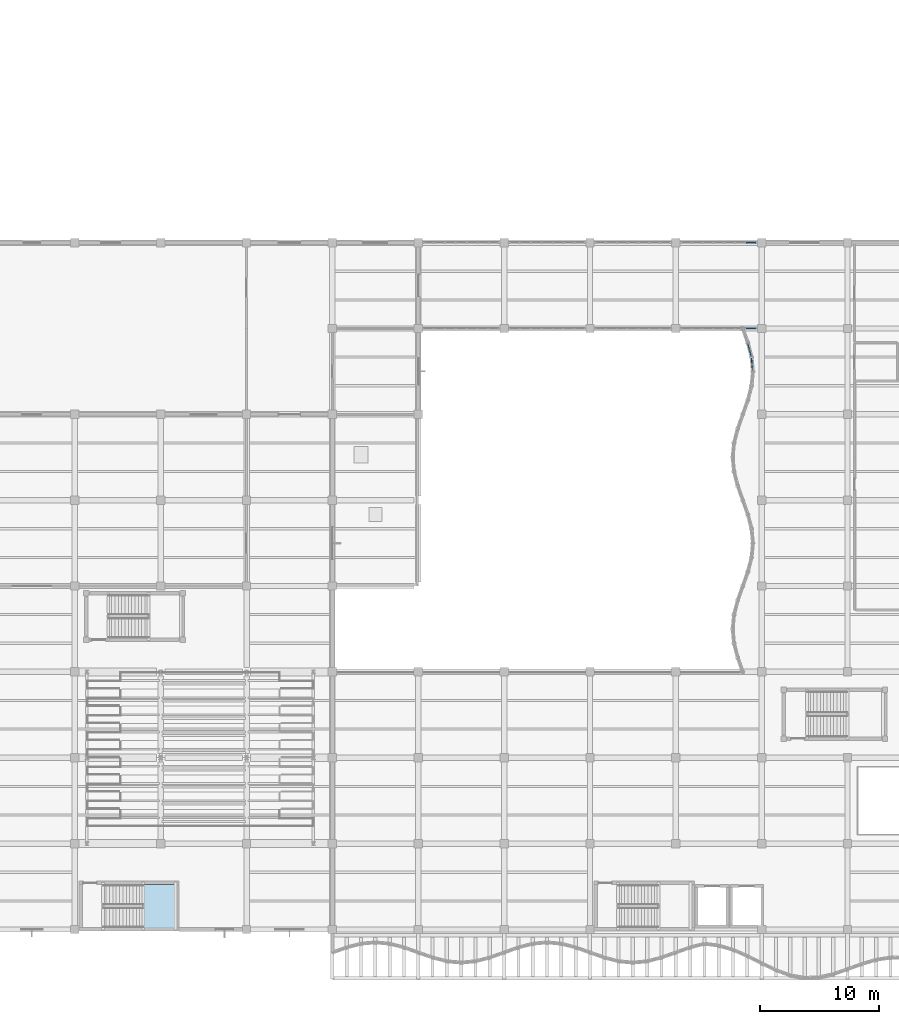
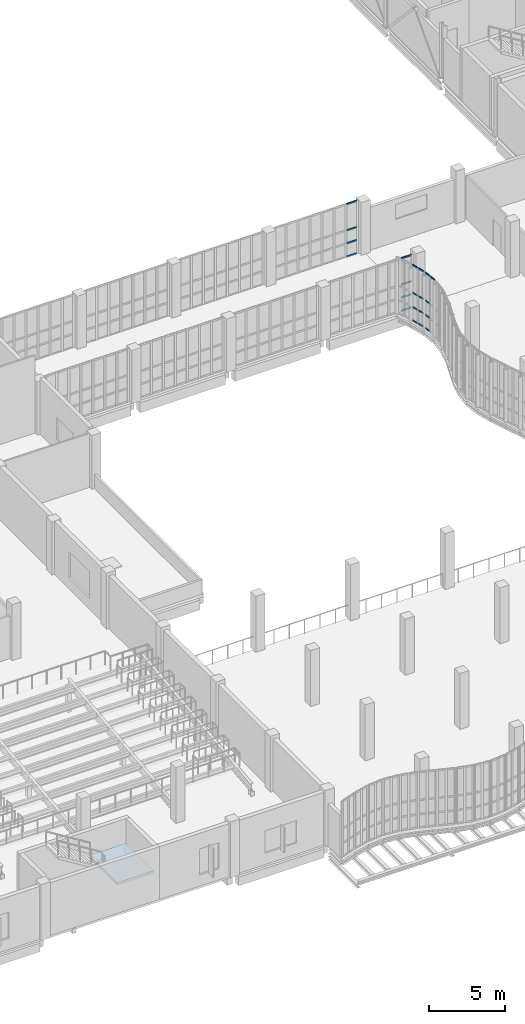
# One storey, part 65 of 108: 21 members, 1 slab, 5 elements without a shape of their own.
"""IFC4 building model written with IfcOpenShell, lengths in metres."""

from ifc_helpers import new_model, si_unit, direction, frame, origin, origin_2d, place, context, subcontext, project, spatial, polyline, hollow_rectangle, outline, extrude, material, layer, layer_set, material_profile, profile_set, type_object, element, aggregate, save


model = new_model("IFC4")

# Units and contexts
model_context = context("Model", 3, precision=1e-05, world=origin(), true_north=direction((0.0, 1.0)))
body_context = subcontext(model_context, "Body", "Model", "MODEL_VIEW")
ifc_project = project(units=[si_unit("LENGTHUNIT", "METRE"), si_unit("AREAUNIT", "SQUARE_METRE"), si_unit("VOLUMEUNIT", "CUBIC_METRE"), si_unit("PLANEANGLEUNIT", "RADIAN"), si_unit("MASSUNIT", "GRAM", prefix="KILO"), si_unit("THERMODYNAMICTEMPERATUREUNIT", "KELVIN"), si_unit("POWERUNIT", "WATT")], contexts=[model_context])

# Site, building, storey
site_placement = place(None, origin())
site = spatial("IfcSite", under=ifc_project, at=site_placement, CompositionType="ELEMENT")
building_placement = place(site_placement, origin())
building = spatial("IfcBuilding", under=site, at=building_placement, Name="Kaldorven Railside Theatre", CompositionType="ELEMENT")
storey_placement = place(building_placement, frame((0.0, 0.0, 5.39990234375)))
storey = spatial("IfcBuildingStorey", under=building, at=storey_placement, Name="L01", CompositionType="ELEMENT", Elevation=5.39990234375)

# Curtain wall, members
ifc_material_1 = material(Name="Low-E laminated solar-control glass", Category="glass")
ifc_layer_1 = layer(ifc_material_1, 0.159912109375, Name="Low-E laminated solar-control glass")
ifc_layer_set_1 = layer_set([ifc_layer_1], Name="Low-E laminated solar-control glass")
curtain_wall_type_1 = type_object("IfcCurtainWallType", Name="CWT-03", PredefinedType="USERDEFINED", material=ifc_layer_set_1)
curtain_wall_1_placement = place(storey_placement, origin())
curtain_wall_1 = element("IfcCurtainWall", 1, at=curtain_wall_1_placement, inside=storey, type_object=curtain_wall_type_1, Name="Sinusoidal Fluted Curtain Wall CW-L01-W22", ObjectType="FLUTED GLAZING", PredefinedType="USERDEFINED")
ifc_material_2 = material(Name="Anodised bronze aluminium", Category="aluminium")
ifc_material_profile = material_profile(ifc_material_2, hollow_rectangle(XDim=0.06005859375, YDim=0.1201171875, WallThickness=0.0048828125, at=origin_2d()), Name="RHS 120x60x5")
ifc_profile_set = profile_set([ifc_material_profile], Name="Anodised bronze aluminium")
member_type = type_object("IfcMemberType", Name="CWT-120", PredefinedType="USERDEFINED", material=ifc_profile_set)
member_1_placement = place(storey_placement, frame((72.04248046875, 66.07958984375, 4.47021484375), z_axis=(-0.094594245591, 0.995515910823, 0.0), x_axis=(-0.995515910823, -0.094594245591, 0.0)))
member_1 = element("IfcMember", 2, at=member_1_placement, type_object=member_type, Name="CW-L01-W22 transom 1.4", ObjectType="TRANSOM", PredefinedType="USERDEFINED", context=body_context, shape_type="SweptSolid", body=[
    extrude(hollow_rectangle(XDim=0.06005859375, YDim=0.1201171875, WallThickness=0.0048828125, at=origin_2d()), origin(), (0.0, 0.0, 1.0), 0.482666015625),
])
member_2_placement = place(storey_placement, frame((71.9892578125, 66.639892578125, 0.030029296875), z_axis=(-0.094594245591, 0.995515910823, 0.0), x_axis=(-0.995515910823, -0.094594245591, 0.0)))
member_2 = element("IfcMember", 3, at=member_2_placement, type_object=member_type, Name="CW-L01-W22 transom 2.1", ObjectType="TRANSOM", PredefinedType="USERDEFINED", context=body_context, shape_type="SweptSolid", body=[
    extrude(hollow_rectangle(XDim=0.06005859375, YDim=0.1201171875, WallThickness=0.0048828125, at=origin_2d()), origin(), (0.0, 0.0, 1.0), 0.482666015625),
])
member_3_placement = place(storey_placement, frame((71.9892578125, 66.639892578125, 1.10009765625), z_axis=(-0.094594245591, 0.995515910823, 0.0), x_axis=(-0.995515910823, -0.094594245591, 0.0)))
member_3 = element("IfcMember", 4, at=member_3_placement, type_object=member_type, Name="CW-L01-W22 transom 2.2", ObjectType="TRANSOM", PredefinedType="USERDEFINED", context=body_context, shape_type="SweptSolid", body=[
    extrude(hollow_rectangle(XDim=0.06005859375, YDim=0.1201171875, WallThickness=0.0048828125, at=origin_2d()), origin(), (0.0, 0.0, 1.0), 0.482666015625),
])
member_4_placement = place(storey_placement, frame((71.9892578125, 66.639892578125, 2.25), z_axis=(-0.094594245591, 0.995515910823, 0.0), x_axis=(-0.995515910823, -0.094594245591, 0.0)))
member_4 = element("IfcMember", 5, at=member_4_placement, type_object=member_type, Name="CW-L01-W22 transom 2.3", ObjectType="TRANSOM", PredefinedType="USERDEFINED", context=body_context, shape_type="SweptSolid", body=[
    extrude(hollow_rectangle(XDim=0.06005859375, YDim=0.1201171875, WallThickness=0.0048828125, at=origin_2d()), origin(), (0.0, 0.0, 1.0), 0.482666015625),
])
member_5_placement = place(storey_placement, frame((71.9892578125, 66.639892578125, 4.47021484375), z_axis=(-0.094594245591, 0.995515910823, 0.0), x_axis=(-0.995515910823, -0.094594245591, 0.0)))
member_5 = element("IfcMember", 6, at=member_5_placement, type_object=member_type, Name="CW-L01-W22 transom 2.4", ObjectType="TRANSOM", PredefinedType="USERDEFINED", context=body_context, shape_type="SweptSolid", body=[
    extrude(hollow_rectangle(XDim=0.06005859375, YDim=0.1201171875, WallThickness=0.0048828125, at=origin_2d()), origin(), (0.0, 0.0, 1.0), 0.482666015625),
])
aggregate(curtain_wall_1, [member_1, member_2, member_3, member_4, member_5])

ifc_layer_2 = layer(ifc_material_1, 0.159912109375, Name="Low-E laminated solar-control glass")
ifc_layer_set_2 = layer_set([ifc_layer_2], Name="Low-E laminated solar-control glass")
curtain_wall_type_2 = type_object("IfcCurtainWallType", Name="CWT-02", PredefinedType="USERDEFINED", material=ifc_layer_set_2)
curtain_wall_2_placement = place(storey_placement, origin())
curtain_wall_2 = element("IfcCurtainWall", 7, at=curtain_wall_2_placement, inside=storey, type_object=curtain_wall_type_2, Name="Sinusoidal Fluted Curtain Wall CW-L01-W23", ObjectType="FLUTED GLAZING", PredefinedType="USERDEFINED")
member_6_placement = place(storey_placement, frame((71.916015625, 67.27734375, 0.030029296875), z_axis=(-0.251029954561, 0.967979318949, 0.0), x_axis=(-0.967979318949, -0.251029954561, 0.0)))
member_6 = element("IfcMember", 8, at=member_6_placement, type_object=member_type, Name="CW-L01-W23 transom 1.1", ObjectType="TRANSOM", PredefinedType="USERDEFINED", context=body_context, shape_type="SweptSolid", body=[
    extrude(hollow_rectangle(XDim=0.06005859375, YDim=0.1201171875, WallThickness=0.0048828125, at=origin_2d()), origin(), (0.0, 0.0, 1.0), 0.5),
])
member_7_placement = place(storey_placement, frame((71.916015625, 67.27734375, 1.10009765625), z_axis=(-0.251029954561, 0.967979318949, 0.0), x_axis=(-0.967979318949, -0.251029954561, 0.0)))
member_7 = element("IfcMember", 9, at=member_7_placement, type_object=member_type, Name="CW-L01-W23 transom 1.2", ObjectType="TRANSOM", PredefinedType="USERDEFINED", context=body_context, shape_type="SweptSolid", body=[
    extrude(hollow_rectangle(XDim=0.06005859375, YDim=0.1201171875, WallThickness=0.0048828125, at=origin_2d()), origin(), (0.0, 0.0, 1.0), 0.5),
])
member_8_placement = place(storey_placement, frame((71.916015625, 67.27734375, 2.25), z_axis=(-0.251029954561, 0.967979318949, 0.0), x_axis=(-0.967979318949, -0.251029954561, 0.0)))
member_8 = element("IfcMember", 10, at=member_8_placement, type_object=member_type, Name="CW-L01-W23 transom 1.3", ObjectType="TRANSOM", PredefinedType="USERDEFINED", context=body_context, shape_type="SweptSolid", body=[
    extrude(hollow_rectangle(XDim=0.06005859375, YDim=0.1201171875, WallThickness=0.0048828125, at=origin_2d()), origin(), (0.0, 0.0, 1.0), 0.5),
])
member_9_placement = place(storey_placement, frame((71.916015625, 67.27734375, 4.47021484375), z_axis=(-0.251029954561, 0.967979318949, 0.0), x_axis=(-0.967979318949, -0.251029954561, 0.0)))
member_9 = element("IfcMember", 11, at=member_9_placement, type_object=member_type, Name="CW-L01-W23 transom 1.4", ObjectType="TRANSOM", PredefinedType="USERDEFINED", context=body_context, shape_type="SweptSolid", body=[
    extrude(hollow_rectangle(XDim=0.06005859375, YDim=0.1201171875, WallThickness=0.0048828125, at=origin_2d()), origin(), (0.0, 0.0, 1.0), 0.5),
])
member_10_placement = place(storey_placement, frame((71.7705078125, 67.838623046875, 0.030029296875), z_axis=(-0.251029954561, 0.967979318949, 0.0), x_axis=(-0.967979318949, -0.251029954561, 0.0)))
member_10 = element("IfcMember", 12, at=member_10_placement, type_object=member_type, Name="CW-L01-W23 transom 2.1", ObjectType="TRANSOM", PredefinedType="USERDEFINED", context=body_context, shape_type="SweptSolid", body=[
    extrude(hollow_rectangle(XDim=0.06005859375, YDim=0.1201171875, WallThickness=0.0048828125, at=origin_2d()), origin(), (0.0, 0.0, 1.0), 0.5),
])
member_11_placement = place(storey_placement, frame((71.7705078125, 67.838623046875, 1.10009765625), z_axis=(-0.251029954561, 0.967979318949, 0.0), x_axis=(-0.967979318949, -0.251029954561, 0.0)))
member_11 = element("IfcMember", 13, at=member_11_placement, type_object=member_type, Name="CW-L01-W23 transom 2.2", ObjectType="TRANSOM", PredefinedType="USERDEFINED", context=body_context, shape_type="SweptSolid", body=[
    extrude(hollow_rectangle(XDim=0.06005859375, YDim=0.1201171875, WallThickness=0.0048828125, at=origin_2d()), origin(), (0.0, 0.0, 1.0), 0.5),
])
member_12_placement = place(storey_placement, frame((71.7705078125, 67.838623046875, 2.25), z_axis=(-0.251029954561, 0.967979318949, 0.0), x_axis=(-0.967979318949, -0.251029954561, 0.0)))
member_12 = element("IfcMember", 14, at=member_12_placement, type_object=member_type, Name="CW-L01-W23 transom 2.3", ObjectType="TRANSOM", PredefinedType="USERDEFINED", context=body_context, shape_type="SweptSolid", body=[
    extrude(hollow_rectangle(XDim=0.06005859375, YDim=0.1201171875, WallThickness=0.0048828125, at=origin_2d()), origin(), (0.0, 0.0, 1.0), 0.5),
])
member_13_placement = place(storey_placement, frame((71.7705078125, 67.838623046875, 4.47021484375), z_axis=(-0.251029954561, 0.967979318949, 0.0), x_axis=(-0.967979318949, -0.251029954561, 0.0)))
member_13 = element("IfcMember", 15, at=member_13_placement, type_object=member_type, Name="CW-L01-W23 transom 2.4", ObjectType="TRANSOM", PredefinedType="USERDEFINED", context=body_context, shape_type="SweptSolid", body=[
    extrude(hollow_rectangle(XDim=0.06005859375, YDim=0.1201171875, WallThickness=0.0048828125, at=origin_2d()), origin(), (0.0, 0.0, 1.0), 0.5),
])
aggregate(curtain_wall_2, [member_6, member_7, member_8, member_9, member_10, member_11, member_12, member_13])

ifc_layer_3 = layer(ifc_material_1, 0.159912109375, Name="Low-E laminated solar-control glass")
ifc_layer_set_3 = layer_set([ifc_layer_3], Name="Low-E laminated solar-control glass")
curtain_wall_type_3 = type_object("IfcCurtainWallType", Name="CWT-25", PredefinedType="USERDEFINED", material=ifc_layer_set_3)
curtain_wall_3_placement = place(storey_placement, origin())
curtain_wall_3 = element("IfcCurtainWall", 16, at=curtain_wall_3_placement, inside=storey, type_object=curtain_wall_type_3, Name="Sinusoidal Fluted Curtain Wall CW-L01-BS04", ObjectType="FLUTED GLAZING", PredefinedType="USERDEFINED")
member_14_placement = place(storey_placement, frame((71.525634765625, 69.60009765625, 0.030029296875), z_axis=(1.0, 0.0, 0.0), x_axis=(0.0, 1.0, 0.0)))
member_14 = element("IfcMember", 17, at=member_14_placement, type_object=member_type, Name="CW-L01-BS04 transom 7.1", ObjectType="TRANSOM", PredefinedType="USERDEFINED", context=body_context, shape_type="SweptSolid", body=[
    extrude(hollow_rectangle(XDim=0.06005859375, YDim=0.1201171875, WallThickness=0.0048828125, at=origin_2d()), origin(), (0.0, 0.0, 1.0), 0.79443359375),
])
member_15_placement = place(storey_placement, frame((71.525634765625, 69.60009765625, 1.10009765625), z_axis=(1.0, 0.0, 0.0), x_axis=(0.0, 1.0, 0.0)))
member_15 = element("IfcMember", 18, at=member_15_placement, type_object=member_type, Name="CW-L01-BS04 transom 7.2", ObjectType="TRANSOM", PredefinedType="USERDEFINED", context=body_context, shape_type="SweptSolid", body=[
    extrude(hollow_rectangle(XDim=0.06005859375, YDim=0.1201171875, WallThickness=0.0048828125, at=origin_2d()), origin(), (0.0, 0.0, 1.0), 0.79443359375),
])
member_16_placement = place(storey_placement, frame((71.525634765625, 69.60009765625, 2.14013671875), z_axis=(1.0, 0.0, 0.0), x_axis=(0.0, 1.0, 0.0)))
member_16 = element("IfcMember", 19, at=member_16_placement, type_object=member_type, Name="CW-L01-BS04 transom 7.3", ObjectType="TRANSOM", PredefinedType="USERDEFINED", context=body_context, shape_type="SweptSolid", body=[
    extrude(hollow_rectangle(XDim=0.06005859375, YDim=0.1201171875, WallThickness=0.0048828125, at=origin_2d()), origin(), (0.0, 0.0, 1.0), 0.79443359375),
])
member_17_placement = place(storey_placement, frame((71.525634765625, 69.60009765625, 4.25), z_axis=(1.0, 0.0, 0.0), x_axis=(0.0, 1.0, 0.0)))
member_17 = element("IfcMember", 20, at=member_17_placement, type_object=member_type, Name="CW-L01-BS04 transom 7.4", ObjectType="TRANSOM", PredefinedType="USERDEFINED", context=body_context, shape_type="SweptSolid", body=[
    extrude(hollow_rectangle(XDim=0.06005859375, YDim=0.1201171875, WallThickness=0.0048828125, at=origin_2d()), origin(), (0.0, 0.0, 1.0), 0.79443359375),
])
aggregate(curtain_wall_3, [member_14, member_15, member_16, member_17])

curtain_wall_4_placement = place(storey_placement, origin())
curtain_wall_4 = element("IfcCurtainWall", 21, at=curtain_wall_4_placement, inside=storey, type_object=curtain_wall_type_3, Name="Sinusoidal Fluted Curtain Wall CW-L01-BN04", ObjectType="FLUTED GLAZING", PredefinedType="USERDEFINED")
member_18_placement = place(storey_placement, frame((71.525634765625, 76.800048828125, 0.030029296875), z_axis=(1.0, 0.0, 0.0), x_axis=(0.0, 1.0, 0.0)))
member_18 = element("IfcMember", 22, at=member_18_placement, type_object=member_type, Name="CW-L01-BN04 transom 7.1", ObjectType="TRANSOM", PredefinedType="USERDEFINED", context=body_context, shape_type="SweptSolid", body=[
    extrude(hollow_rectangle(XDim=0.06005859375, YDim=0.1201171875, WallThickness=0.0048828125, at=origin_2d()), origin(), (0.0, 0.0, 1.0), 0.79443359375),
])
member_19_placement = place(storey_placement, frame((71.525634765625, 76.800048828125, 1.10009765625), z_axis=(1.0, 0.0, 0.0), x_axis=(0.0, 1.0, 0.0)))
member_19 = element("IfcMember", 23, at=member_19_placement, type_object=member_type, Name="CW-L01-BN04 transom 7.2", ObjectType="TRANSOM", PredefinedType="USERDEFINED", context=body_context, shape_type="SweptSolid", body=[
    extrude(hollow_rectangle(XDim=0.06005859375, YDim=0.1201171875, WallThickness=0.0048828125, at=origin_2d()), origin(), (0.0, 0.0, 1.0), 0.79443359375),
])
member_20_placement = place(storey_placement, frame((71.525634765625, 76.800048828125, 2.14013671875), z_axis=(1.0, 0.0, 0.0), x_axis=(0.0, 1.0, 0.0)))
member_20 = element("IfcMember", 24, at=member_20_placement, type_object=member_type, Name="CW-L01-BN04 transom 7.3", ObjectType="TRANSOM", PredefinedType="USERDEFINED", context=body_context, shape_type="SweptSolid", body=[
    extrude(hollow_rectangle(XDim=0.06005859375, YDim=0.1201171875, WallThickness=0.0048828125, at=origin_2d()), origin(), (0.0, 0.0, 1.0), 0.79443359375),
])
member_21_placement = place(storey_placement, frame((71.525634765625, 76.800048828125, 4.25), z_axis=(1.0, 0.0, 0.0), x_axis=(0.0, 1.0, 0.0)))
member_21 = element("IfcMember", 25, at=member_21_placement, type_object=member_type, Name="CW-L01-BN04 transom 7.4", ObjectType="TRANSOM", PredefinedType="USERDEFINED", context=body_context, shape_type="SweptSolid", body=[
    extrude(hollow_rectangle(XDim=0.06005859375, YDim=0.1201171875, WallThickness=0.0048828125, at=origin_2d()), origin(), (0.0, 0.0, 1.0), 0.79443359375),
])
aggregate(curtain_wall_4, [member_18, member_19, member_20, member_21])

# Stair, slab
ifc_material_3 = material(Name="Concrete C35/45", Category="concrete")
stair_type = type_object("IfcStairType", Name="STR-DL-03", PredefinedType="HALF_TURN_STAIR", material=ifc_material_3)
stair_placement = place(storey_placement, origin())
stair = element("IfcStair", 26, at=stair_placement, inside=storey, type_object=stair_type, Name="L01 Core C-SW Escape Stair ST-01", PredefinedType="HALF_TURN_STAIR")
ifc_layer_4 = layer(ifc_material_3, 0.199951171875, Name="Concrete C35/45")
ifc_layer_set_4 = layer_set([ifc_layer_4], Name="Concrete C35/45")
slab_type = type_object("IfcSlabType", Name="SLB-LSL-200", PredefinedType="LANDING", material=ifc_layer_set_4)
slab_placement = place(storey_placement, frame((0.0, 0.0, 2.050048828125)))
slab = element("IfcSlab", 27, at=slab_placement, type_object=slab_type, Name="ST-01 landing 1", PredefinedType="LANDING", context=body_context, shape_type="SweptSolid", body=[
    extrude(outline(polyline([(20.885009765625, 19.320068359375), (23.679931640625, 19.320068359375), (23.679931640625, 22.97998046875), (20.885009765625, 22.97998046875), (20.885009765625, 19.320068359375)])), origin(), (0.0, 0.0, 1.0), 0.199951171875),
])
aggregate(stair, [slab])

save(model, "model.ifc")
